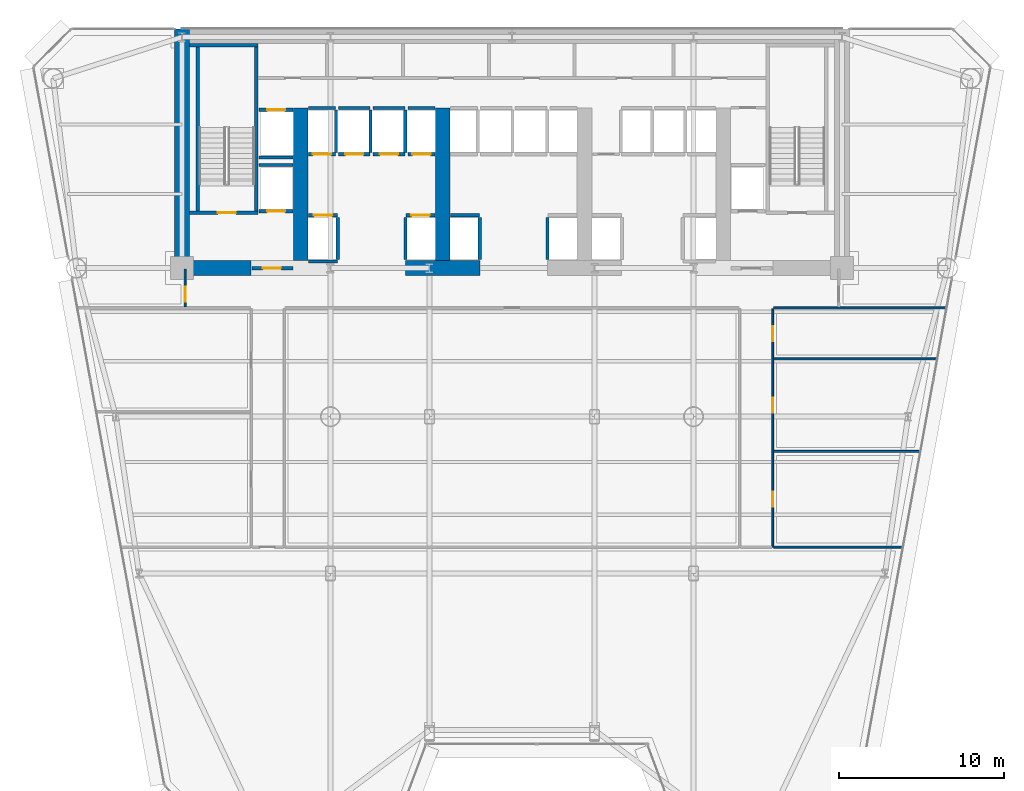
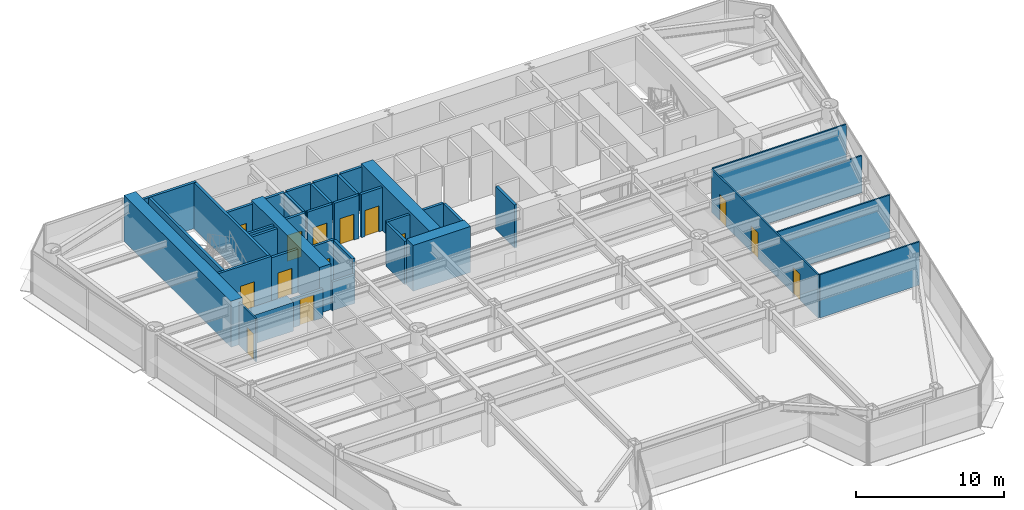
# One storey, part 8 of 14: 39 walls, 14 doors, 14 openings.
"""IFC4 building model written with IfcOpenShell, lengths in metres."""

from ifc_helpers import new_model, si_unit, direction, frame, frame_2d, origin, place, context, subcontext, project, spatial, rectangle, extrude, source, transform, mapped, material, layer, layer_set, type_object, element, fill, save


model = new_model("IFC4")

# Units and contexts
model_context = context("Model", 3, precision=1e-05, world=origin(), true_north=direction((0.0, 1.0)))
body_context = subcontext(model_context, "Body", "Model", "MODEL_VIEW")
ifc_project = project(units=[si_unit("LENGTHUNIT", "METRE"), si_unit("AREAUNIT", "SQUARE_METRE"), si_unit("VOLUMEUNIT", "CUBIC_METRE"), si_unit("PLANEANGLEUNIT", "RADIAN"), si_unit("MASSUNIT", "GRAM", prefix="KILO")], contexts=[model_context])

# Site, building, storey
site_placement = place(None, origin())
site = spatial("IfcSite", under=ifc_project, at=site_placement, CompositionType="ELEMENT")
building_placement = place(site_placement, origin())
building = spatial("IfcBuilding", under=site, at=building_placement, Name="Vaeldorn Concourse Tower", CompositionType="ELEMENT")
storey_placement = place(building_placement, frame((0.0, 0.0, 64.39990234375)))
storey = spatial("IfcBuildingStorey", under=building, at=storey_placement, Name="L16", CompositionType="ELEMENT", Elevation=64.39990234375)

# Walls
ifc_material_1 = material(Name="Concrete C60/75", Category="concrete")
ifc_layer_1 = layer(ifc_material_1, 0.89990234375)
ifc_layer_set_1 = layer_set([ifc_layer_1], Name="Concrete C60/75")
wall_type_1 = type_object("IfcWallType", Name="WL-CORE-900", PredefinedType="SHEAR", material=ifc_layer_set_1)
wall_1_placement = place(storey_placement, frame((14.0, 36.5, 0.0), z_axis=(0.0, 0.0, 1.0), x_axis=(0.0, 1.0, 0.0)))
element("IfcWall", 1, at=wall_1_placement, inside=storey, type_object=wall_type_1, Name="Rear Core Shear Wall L16 W1", PredefinedType="SHEAR", context=body_context, shape_type="SweptSolid", body=[
    extrude(rectangle(XDim=14.5, YDim=0.89990234375, at=frame_2d((7.25, 0.0))), origin(), (0.0, 0.0, 1.0), 3.800048828125),
])
wall_2_placement = place(storey_placement, frame((14.469970703125, 36.5, 0.0), z_axis=(0.0, 0.0, 1.0), x_axis=(1.0, 0.0, 0.0)))
element("IfcWall", 2, at=wall_2_placement, inside=storey, type_object=wall_type_1, Name="Rear Core Shear Wall L16 S1", PredefinedType="SHEAR", context=body_context, shape_type="SweptSolid", body=[
    extrude(rectangle(XDim=3.72998046875, YDim=0.89990234375, at=frame_2d((1.864990234375, 0.0))), origin(), (0.0, 0.0, 1.0), 2.380126953125),
])
wall_3_placement = place(storey_placement, frame((27.550048828125, 36.5, 0.0), z_axis=(0.0, 0.0, 1.0), x_axis=(1.0, 0.0, 0.0)))
element("IfcWall", 3, at=wall_3_placement, inside=storey, type_object=wall_type_1, Name="Rear Core Shear Wall L16 S2", PredefinedType="SHEAR", context=body_context, shape_type="SweptSolid", body=[
    extrude(rectangle(XDim=4.5, YDim=0.89990234375, at=frame_2d((2.25, 0.0))), origin(), (0.0, 0.0, 1.0), 3.800048828125),
])
for number, where, z_axis, x_axis, name in (
    (4, (21.199951171875, 36.969970703125, 0.0), (0.0, 0.0, 1.0), (0.0, 1.0, 0.0), "Rear Core Shear Wall L16 M1"),
    (5, (29.800048828125, 36.969970703125, 0.0), (0.0, 0.0, 1.0), (0.0, 1.0, 0.0), "Rear Core Shear Wall L16 M2"),
):
    element("IfcWall", number, at=place(storey_placement, frame(where, z_axis=z_axis, x_axis=x_axis)), inside=storey, type_object=wall_type_1, Name=name, PredefinedType="SHEAR", context=body_context, shape_type="SweptSolid", body=[
        extrude(rectangle(XDim=9.22998046875, YDim=0.89990234375, at=frame_2d((4.614990234375, 0.0))), origin(), (0.0, 0.0, 1.0), 3.800048828125),
    ])
ifc_material_2 = material(Name="Gypsum Board Partition", Category="gypsum")
ifc_layer_2 = layer(ifc_material_2, 0.1201171875)
ifc_layer_set_2 = layer_set([ifc_layer_2], Name="Gypsum Board Partition")
wall_type_2 = type_object("IfcWallType", Name="WL-PART-120", PredefinedType="PARTITIONING", material=ifc_layer_set_2)
wall_4_placement = place(storey_placement, frame((49.860107421875, 34.10009765625, 0.0), z_axis=(0.0, 0.0, 1.0), x_axis=(1.0, 0.0, 0.0)))
element("IfcWall", 6, at=wall_4_placement, inside=storey, type_object=wall_type_2, Name="Interior Wall PW-L16-CEWE", PredefinedType="PARTITIONING", context=body_context, shape_type="SweptSolid", body=[
    extrude(rectangle(XDim=10.436279296875, YDim=0.1201171875, at=frame_2d((5.21826171875, 0.0))), origin(), (0.0, 0.0, 1.0), 3.580078125),
])

# Wall, opening, door
wall_5_placement = place(storey_placement, frame((14.199951171875, 34.159912109375, 0.0), z_axis=(0.0, 0.0, 1.0), x_axis=(0.0, 1.0, 0.0)))
wall_5 = element("IfcWall", 7, at=wall_5_placement, inside=storey, type_object=wall_type_2, Name="Interior Wall PW-L16-CWWT", PredefinedType="PARTITIONING", context=body_context, shape_type="SweptSolid", body=[
    extrude(rectangle(XDim=2.280029296875, YDim=0.1201171875, at=frame_2d((1.14013671875, 0.0))), origin(), (0.0, 0.0, 1.0), 3.580078125),
])
opening_1_placement = place(wall_5_placement, frame((0.300048828125, 0.0, 0.0)))
opening_1 = element("IfcOpeningElement", 8, at=opening_1_placement, cuts=wall_5, Name="Opening D-03", PredefinedType="OPENING", context=body_context, shape_type="SweptSolid", body=[
    extrude(rectangle(XDim=0.89990234375, YDim=2.14990234375, at=frame_2d((0.449951171875, 1.074951171875))), frame((0.0, 0.070068359375, 0.0), z_axis=(0.0, -1.0, 0.0), x_axis=(1.0, 0.0, 0.0)), (0.0, 0.0, 1.0), 0.14013671875),
])
ifc_material_3 = material(Name="Acoustic Bronze-Framed Glass Door", Category="glass")
door_type_1 = type_object("IfcDoorType", Name="DR-INT-900", OperationType="NOTDEFINED", PredefinedType="DOOR", material=ifc_material_3)
shared_shape_1 = source(origin(), body_context, "Body", "SweptSolid", [
    extrude(rectangle(XDim=0.89990234375, YDim=2.14990234375, at=frame_2d((0.449951171875, 1.074951171875))), frame((0.0, 0.02490234375, 0.0), z_axis=(0.0, -1.0, 0.0), x_axis=(1.0, 0.0, 0.0)), (0.0, 0.0, 1.0), 0.050048828125),
])
door_1_placement = place(opening_1_placement, origin())
door_1 = element("IfcDoor", 9, at=door_1_placement, inside=storey, type_object=door_type_1, Name="Interior Door DR-L16-NW1", OperationType="SINGLE_SWING_LEFT", OverallHeight=2.14990234375, OverallWidth=0.89990234375, PredefinedType="DOOR", context=body_context, shape_type="MappedRepresentation", body=[
    mapped(shared_shape_1, transform((0.0, 0.0, 0.0), scale=1.0)),
])
fill(opening_1, door_1)

# Wall, openings, doors
wall_6_placement = place(storey_placement, frame((49.800048828125, 19.60009765625, 0.0), z_axis=(0.0, 0.0, 1.0), x_axis=(0.0, 1.0, 0.0)))
wall_6 = element("IfcWall", 10, at=wall_6_placement, inside=storey, type_object=wall_type_2, Name="Interior Wall PW-L16-CEE", PredefinedType="PARTITIONING", context=body_context, shape_type="SweptSolid", body=[
    extrude(rectangle(XDim=14.43994140625, YDim=0.1201171875, at=frame_2d((7.219970703125, 0.0))), origin(), (0.0, 0.0, 1.0), 3.580078125),
])
opening_2_placement = place(wall_6_placement, frame((2.449951171875, 0.0, 0.0)))
opening_2 = element("IfcOpeningElement", 11, at=opening_2_placement, cuts=wall_6, Name="Opening D-03", PredefinedType="OPENING", context=body_context, shape_type="SweptSolid", body=[
    extrude(rectangle(XDim=0.89990234375, YDim=2.14990234375, at=frame_2d((0.449951171875, 1.074951171875))), frame((0.0, 0.070068359375, 0.0), z_axis=(0.0, -1.0, 0.0), x_axis=(1.0, 0.0, 0.0)), (0.0, 0.0, 1.0), 0.14013671875),
])
opening_3_placement = place(wall_6_placement, frame((8.14990234375, 0.0, 0.0)))
opening_3 = element("IfcOpeningElement", 12, at=opening_3_placement, cuts=wall_6, Name="Opening D-03", PredefinedType="OPENING", context=body_context, shape_type="SweptSolid", body=[
    extrude(rectangle(XDim=0.89990234375, YDim=2.14990234375, at=frame_2d((0.449951171875, 1.074951171875))), frame((0.0, 0.070068359375, 0.0), z_axis=(0.0, -1.0, 0.0), x_axis=(1.0, 0.0, 0.0)), (0.0, 0.0, 1.0), 0.14013671875),
])
opening_4_placement = place(wall_6_placement, frame((12.469970703125, 0.0, 0.0)))
opening_4 = element("IfcOpeningElement", 13, at=opening_4_placement, cuts=wall_6, Name="Opening D-03", PredefinedType="OPENING", context=body_context, shape_type="SweptSolid", body=[
    extrude(rectangle(XDim=0.89990234375, YDim=2.14990234375, at=frame_2d((0.449951171875, 1.074951171875))), frame((0.0, 0.070068359375, 0.0), z_axis=(0.0, -1.0, 0.0), x_axis=(1.0, 0.0, 0.0)), (0.0, 0.0, 1.0), 0.14013671875),
])
door_2_placement = place(opening_2_placement, origin())
door_2 = element("IfcDoor", 14, at=door_2_placement, inside=storey, type_object=door_type_1, Name="Interior Door DR-L16-E1", OperationType="SINGLE_SWING_RIGHT", OverallHeight=2.14990234375, OverallWidth=0.89990234375, PredefinedType="DOOR", context=body_context, shape_type="MappedRepresentation", body=[
    mapped(shared_shape_1, transform((0.0, 0.0, 0.0), scale=1.0)),
])
fill(opening_2, door_2)
door_3_placement = place(opening_3_placement, origin())
door_3 = element("IfcDoor", 15, at=door_3_placement, inside=storey, type_object=door_type_1, Name="Interior Door DR-L16-E2", OperationType="SINGLE_SWING_LEFT", OverallHeight=2.14990234375, OverallWidth=0.89990234375, PredefinedType="DOOR", context=body_context, shape_type="MappedRepresentation", body=[
    mapped(shared_shape_1, transform((0.0, 0.0, 0.0), scale=1.0)),
])
fill(opening_3, door_3)
door_4_placement = place(opening_4_placement, origin())
door_4 = element("IfcDoor", 16, at=door_4_placement, inside=storey, type_object=door_type_1, Name="Interior Door DR-L16-E3", OperationType="SINGLE_SWING_RIGHT", OverallHeight=2.14990234375, OverallWidth=0.89990234375, PredefinedType="DOOR", context=body_context, shape_type="MappedRepresentation", body=[
    mapped(shared_shape_1, transform((0.0, 0.0, 0.0), scale=1.0)),
])
fill(opening_4, door_4)

# Walls
wall_7_placement = place(storey_placement, frame((49.860107421875, 19.60009765625, 0.0), z_axis=(0.0, 0.0, 1.0), x_axis=(1.0, 0.0, 0.0)))
element("IfcWall", 17, at=wall_7_placement, inside=storey, type_object=wall_type_2, Name="Interior Wall PW-L16-EY0", PredefinedType="PARTITIONING", context=body_context, shape_type="SweptSolid", body=[
    extrude(rectangle(XDim=7.791015625, YDim=0.1201171875, at=frame_2d((3.8955078125, 0.0))), origin(), (0.0, 0.0, 1.0), 3.580078125),
])
wall_8_placement = place(storey_placement, frame((49.860107421875, 25.39990234375, 0.0), z_axis=(0.0, 0.0, 1.0), x_axis=(1.0, 0.0, 0.0)))
element("IfcWall", 18, at=wall_8_placement, inside=storey, type_object=wall_type_2, Name="Interior Wall PW-L16-EY1", PredefinedType="PARTITIONING", context=body_context, shape_type="SweptSolid", body=[
    extrude(rectangle(XDim=8.84912109375, YDim=0.1201171875, at=frame_2d((4.424560546875, 0.0))), origin(), (0.0, 0.0, 1.0), 3.580078125),
])
wall_9_placement = place(storey_placement, frame((49.860107421875, 31.0, 0.0), z_axis=(0.0, 0.0, 1.0), x_axis=(1.0, 0.0, 0.0)))
element("IfcWall", 19, at=wall_9_placement, inside=storey, type_object=wall_type_2, Name="Interior Wall PW-L16-EY2", PredefinedType="PARTITIONING", context=body_context, shape_type="SweptSolid", body=[
    extrude(rectangle(XDim=9.870849609375, YDim=0.1201171875, at=frame_2d((4.935546875, 0.0))), origin(), (0.0, 0.0, 1.0), 3.070068359375),
])

# Wall, opening, door
ifc_material_4 = material(Name="Concrete C50/60", Category="concrete")
ifc_layer_3 = layer(ifc_material_4, 0.199951171875)
ifc_layer_set_3 = layer_set([ifc_layer_3], Name="Concrete C50/60")
wall_type_3 = type_object("IfcWallType", Name="WL-SHAFT-200", PredefinedType="SOLIDWALL", material=ifc_layer_set_3)
wall_10_placement = place(storey_placement, frame((14.449951171875, 39.85009765625, 0.0), z_axis=(0.0, 0.0, 1.0), x_axis=(1.0, 0.0, 0.0)))
wall_10 = element("IfcWall", 20, at=wall_10_placement, inside=storey, type_object=wall_type_3, Name="Stair Shaft Wall CW-L16-ST-1-S", PredefinedType="SOLIDWALL", context=body_context, shape_type="SweptSolid", body=[
    extrude(rectangle(XDim=4.150146484375, YDim=0.199951171875, at=frame_2d((2.0751953125, 0.0))), origin(), (0.0, 0.0, 1.0), 3.800048828125),
])
opening_5_placement = place(wall_10_placement, frame((1.72509765625, 0.0, 0.0)))
opening_5 = element("IfcOpeningElement", 21, at=opening_5_placement, cuts=wall_10, Name="Opening D-01", PredefinedType="OPENING", context=body_context, shape_type="SweptSolid", body=[
    extrude(rectangle(XDim=1.10009765625, YDim=2.14990234375, at=frame_2d((0.550048828125, 1.074951171875))), frame((0.0, 0.10986328125, 0.0), z_axis=(0.0, -1.0, 0.0), x_axis=(1.0, 0.0, 0.0)), (0.0, 0.0, 1.0), 0.219970703125),
])
ifc_material_5 = material(Name="Fire-Rated Timber and Steel Leaf", Category="steel")
door_type_2 = type_object("IfcDoorType", Name="DR-FD60-1100", OperationType="NOTDEFINED", PredefinedType="DOOR", material=ifc_material_5)
shared_shape_2 = source(origin(), body_context, "Body", "SweptSolid", [
    extrude(rectangle(XDim=1.10009765625, YDim=2.14990234375, at=frame_2d((0.550048828125, 1.074951171875))), frame((0.0, 0.02490234375, 0.0), z_axis=(0.0, -1.0, 0.0), x_axis=(1.0, 0.0, 0.0)), (0.0, 0.0, 1.0), 0.050048828125),
])
door_5_placement = place(opening_5_placement, origin())
door_5 = element("IfcDoor", 22, at=door_5_placement, inside=storey, type_object=door_type_2, Name="Interior Door DR-L16-ST-1", OperationType="SINGLE_SWING_LEFT", OverallHeight=2.14990234375, OverallWidth=1.10009765625, PredefinedType="DOOR", context=body_context, shape_type="MappedRepresentation", body=[
    mapped(shared_shape_2, transform((0.0, 0.0, 0.0), scale=1.0)),
])
fill(opening_5, door_5)

# Walls
wall_11_placement = place(storey_placement, frame((14.449951171875, 50.0, 0.0), z_axis=(0.0, 0.0, 1.0), x_axis=(1.0, 0.0, 0.0)))
element("IfcWall", 23, at=wall_11_placement, inside=storey, type_object=wall_type_3, Name="Stair Shaft Wall CW-L16-ST-1-N", PredefinedType="SOLIDWALL", context=body_context, shape_type="SweptSolid", body=[
    extrude(rectangle(XDim=4.150146484375, YDim=0.199951171875, at=frame_2d((2.0751953125, 0.0))), origin(), (0.0, 0.0, 1.0), 3.800048828125),
])
for number, where, z_axis, x_axis, name in (
    (24, (14.949951171875, 39.9599609375, 0.0), (0.0, 0.0, 1.0), (0.0, 1.0, 0.0), "Stair Shaft Wall CW-L16-ST-1-W"),
    (25, (18.5, 39.9599609375, 0.0), (0.0, 0.0, 1.0), (0.0, 1.0, 0.0), "Stair Shaft Wall CW-L16-ST-1-E"),
):
    element("IfcWall", number, at=place(storey_placement, frame(where, z_axis=z_axis, x_axis=x_axis)), inside=storey, type_object=wall_type_3, Name=name, PredefinedType="SOLIDWALL", context=body_context, shape_type="SweptSolid", body=[
        extrude(rectangle(XDim=9.929931640625, YDim=0.199951171875, at=frame_2d((4.96484375, 0.0))), origin(), (0.0, 0.0, 1.0), 3.800048828125),
    ])

# Wall, opening, door
wall_12_placement = place(storey_placement, frame((18.25, 36.5, 0.0), z_axis=(0.0, 0.0, 1.0), x_axis=(1.0, 0.0, 0.0)))
wall_12 = element("IfcWall", 26, at=wall_12_placement, inside=storey, type_object=wall_type_3, Name="Interior Wall CW-L16-FF1S", PredefinedType="SOLIDWALL", context=body_context, shape_type="SweptSolid", body=[
    extrude(rectangle(XDim=2.469970703125, YDim=0.199951171875, at=frame_2d((1.23486328125, 0.0))), origin(), (0.0, 0.0, 1.0), 2.3701171875),
])
opening_6_placement = place(wall_12_placement, frame((0.64990234375, 0.0, 0.0)))
opening_6 = element("IfcOpeningElement", 27, at=opening_6_placement, cuts=wall_12, Name="Opening D-01", PredefinedType="OPENING", context=body_context, shape_type="SweptSolid", body=[
    extrude(rectangle(XDim=1.10009765625, YDim=2.14990234375, at=frame_2d((0.550048828125, 1.074951171875))), frame((0.0, 0.10986328125, 0.0), z_axis=(0.0, -1.0, 0.0), x_axis=(1.0, 0.0, 0.0)), (0.0, 0.0, 1.0), 0.219970703125),
])
door_6_placement = place(opening_6_placement, origin())
door_6 = element("IfcDoor", 28, at=door_6_placement, inside=storey, type_object=door_type_2, Name="Interior Door DR-L16-FF1E", OperationType="SINGLE_SWING_RIGHT", OverallHeight=2.14990234375, OverallWidth=1.10009765625, PredefinedType="DOOR", context=body_context, shape_type="MappedRepresentation", body=[
    mapped(shared_shape_2, transform((0.0, 0.0, 0.0), scale=1.0)),
])
fill(opening_6, door_6)

wall_13_placement = place(storey_placement, frame((21.659912109375, 39.699951171875, 0.0), z_axis=(0.0, 0.0, 1.0), x_axis=(1.0, 0.0, 0.0)))
wall_13 = element("IfcWall", 29, at=wall_13_placement, inside=storey, type_object=wall_type_3, Name="Interior Wall CW-L16-LF-LF-01", PredefinedType="SOLIDWALL", context=body_context, shape_type="SweptSolid", body=[
    extrude(rectangle(XDim=1.77001953125, YDim=0.199951171875, at=frame_2d((0.885009765625, 0.0))), origin(), (0.0, 0.0, 1.0), 3.580078125),
])
opening_7_placement = place(wall_13_placement, frame((0.3349609375, 0.0, 0.0)))
opening_7 = element("IfcOpeningElement", 30, at=opening_7_placement, cuts=wall_13, Name="Opening LD-1", PredefinedType="OPENING", context=body_context, shape_type="SweptSolid", body=[
    extrude(rectangle(XDim=1.10009765625, YDim=2.14990234375, at=frame_2d((0.550048828125, 1.074951171875))), frame((0.0, 0.10986328125, 0.0), z_axis=(0.0, -1.0, 0.0), x_axis=(1.0, 0.0, 0.0)), (0.0, 0.0, 1.0), 0.219970703125),
])
ifc_material_6 = material(Name="Anodised Bronze Aluminium", Category="aluminium")
door_type_3 = type_object("IfcDoorType", Name="DR-LIFT-SLIDE-1100", OperationType="DOUBLE_DOOR_SLIDING", PredefinedType="DOOR", material=ifc_material_6)
door_7_placement = place(opening_7_placement, origin())
door_7 = element("IfcDoor", 31, at=door_7_placement, inside=storey, type_object=door_type_3, Name="Lift Landing Door LD-L16-LF-01", OperationType="DOUBLE_DOOR_SLIDING", OverallHeight=2.14990234375, OverallWidth=1.10009765625, PredefinedType="DOOR", context=body_context, shape_type="MappedRepresentation", body=[
    mapped(shared_shape_2, transform((0.0, 0.0, 0.0), scale=1.0)),
])
fill(opening_7, door_7)

# Walls
wall_14_placement = place(storey_placement, frame((21.659912109375, 36.89990234375, 0.0), z_axis=(0.0, 0.0, 1.0), x_axis=(1.0, 0.0, 0.0)))
element("IfcWall", 32, at=wall_14_placement, inside=storey, type_object=wall_type_3, Name="Interior Wall CW-L16-LFB-LF-01", PredefinedType="SOLIDWALL", context=body_context, shape_type="SweptSolid", body=[
    extrude(rectangle(XDim=1.77001953125, YDim=0.199951171875, at=frame_2d((0.885009765625, 0.0))), origin(), (0.0, 0.0, 1.0), 2.3701171875),
])
wall_15_placement = place(storey_placement, frame((23.449951171875, 37.02001953125, 0.0), z_axis=(0.0, 0.0, 1.0), x_axis=(0.0, 1.0, 0.0)))
element("IfcWall", 33, at=wall_15_placement, inside=storey, type_object=wall_type_3, Name="Interior Wall CW-L16-LFE-LF-01", PredefinedType="SOLIDWALL", context=body_context, shape_type="SweptSolid", body=[
    extrude(rectangle(XDim=2.56005859375, YDim=0.199951171875, at=frame_2d((1.280029296875, 0.0))), origin(), (0.0, 0.0, 1.0), 3.580078125),
])

# Wall, opening, door
wall_16_placement = place(storey_placement, frame((27.570068359375, 39.699951171875, 0.0), z_axis=(0.0, 0.0, 1.0), x_axis=(1.0, 0.0, 0.0)))
wall_16 = element("IfcWall", 34, at=wall_16_placement, inside=storey, type_object=wall_type_3, Name="Interior Wall CW-L16-LF-LF-02", PredefinedType="SOLIDWALL", context=body_context, shape_type="SweptSolid", body=[
    extrude(rectangle(XDim=1.77001953125, YDim=0.199951171875, at=frame_2d((0.885009765625, 0.0))), origin(), (0.0, 0.0, 1.0), 3.580078125),
])
opening_8_placement = place(wall_16_placement, frame((0.3349609375, 0.0, 0.0)))
opening_8 = element("IfcOpeningElement", 35, at=opening_8_placement, cuts=wall_16, Name="Opening LD-1", PredefinedType="OPENING", context=body_context, shape_type="SweptSolid", body=[
    extrude(rectangle(XDim=1.10009765625, YDim=2.14990234375, at=frame_2d((0.550048828125, 1.074951171875))), frame((0.0, 0.10986328125, 0.0), z_axis=(0.0, -1.0, 0.0), x_axis=(1.0, 0.0, 0.0)), (0.0, 0.0, 1.0), 0.219970703125),
])
door_8_placement = place(opening_8_placement, origin())
door_8 = element("IfcDoor", 36, at=door_8_placement, inside=storey, type_object=door_type_3, Name="Lift Landing Door LD-L16-LF-02", OperationType="DOUBLE_DOOR_SLIDING", OverallHeight=2.14990234375, OverallWidth=1.10009765625, PredefinedType="DOOR", context=body_context, shape_type="MappedRepresentation", body=[
    mapped(shared_shape_2, transform((0.0, 0.0, 0.0), scale=1.0)),
])
fill(opening_8, door_8)

# Wall
wall_17_placement = place(storey_placement, frame((27.550048828125, 37.02001953125, 0.0), z_axis=(0.0, 0.0, 1.0), x_axis=(0.0, 1.0, 0.0)))
element("IfcWall", 37, at=wall_17_placement, inside=storey, type_object=wall_type_3, Name="Interior Wall CW-L16-LFW-LF-02", PredefinedType="SOLIDWALL", context=body_context, shape_type="SweptSolid", body=[
    extrude(rectangle(XDim=2.56005859375, YDim=0.199951171875, at=frame_2d((1.280029296875, 0.0))), origin(), (0.0, 0.0, 1.0), 3.580078125),
])

# Wall, opening, door
wall_18_placement = place(storey_placement, frame((21.659912109375, 43.39990234375, 0.0), z_axis=(0.0, 0.0, 1.0), x_axis=(1.0, 0.0, 0.0)))
wall_18 = element("IfcWall", 38, at=wall_18_placement, inside=storey, type_object=wall_type_3, Name="Interior Wall CW-L16-LF-LF-03", PredefinedType="SOLIDWALL", context=body_context, shape_type="SweptSolid", body=[
    extrude(rectangle(XDim=1.650146484375, YDim=0.199951171875, at=frame_2d((0.8251953125, 0.0))), origin(), (0.0, 0.0, 1.0), 3.580078125),
])
opening_9_placement = place(wall_18_placement, frame((0.27490234375, 0.0, 0.0)))
opening_9 = element("IfcOpeningElement", 39, at=opening_9_placement, cuts=wall_18, Name="Opening LD-1", PredefinedType="OPENING", context=body_context, shape_type="SweptSolid", body=[
    extrude(rectangle(XDim=1.10009765625, YDim=2.14990234375, at=frame_2d((0.550048828125, 1.074951171875))), frame((0.0, 0.10986328125, 0.0), z_axis=(0.0, -1.0, 0.0), x_axis=(1.0, 0.0, 0.0)), (0.0, 0.0, 1.0), 0.219970703125),
])
door_9_placement = place(opening_9_placement, origin())
door_9 = element("IfcDoor", 40, at=door_9_placement, inside=storey, type_object=door_type_3, Name="Lift Landing Door LD-L16-LF-03", OperationType="DOUBLE_DOOR_SLIDING", OverallHeight=2.14990234375, OverallWidth=1.10009765625, PredefinedType="DOOR", context=body_context, shape_type="MappedRepresentation", body=[
    mapped(shared_shape_2, transform((0.0, 0.0, 0.0), scale=1.0)),
])
fill(opening_9, door_9)

# Walls
wall_19_placement = place(storey_placement, frame((21.659912109375, 46.199951171875, 0.0), z_axis=(0.0, 0.0, 1.0), x_axis=(1.0, 0.0, 0.0)))
element("IfcWall", 41, at=wall_19_placement, inside=storey, type_object=wall_type_3, Name="Interior Wall CW-L16-LFB-LF-03", PredefinedType="SOLIDWALL", context=body_context, shape_type="SweptSolid", body=[
    extrude(rectangle(XDim=1.650146484375, YDim=0.199951171875, at=frame_2d((0.8251953125, 0.0))), origin(), (0.0, 0.0, 1.0), 3.580078125),
])
wall_20_placement = place(storey_placement, frame((23.330078125, 43.52001953125, 0.0), z_axis=(0.0, 0.0, 1.0), x_axis=(0.0, 1.0, 0.0)))
element("IfcWall", 42, at=wall_20_placement, inside=storey, type_object=wall_type_3, Name="Interior Wall CW-L16-LFE-LF-03", PredefinedType="SOLIDWALL", context=body_context, shape_type="SweptSolid", body=[
    extrude(rectangle(XDim=2.56005859375, YDim=0.199951171875, at=frame_2d((1.280029296875, 0.0))), origin(), (0.0, 0.0, 1.0), 3.580078125),
])

# Wall, opening, door
wall_21_placement = place(storey_placement, frame((23.489990234375, 43.39990234375, 0.0), z_axis=(0.0, 0.0, 1.0), x_axis=(1.0, 0.0, 0.0)))
wall_21 = element("IfcWall", 43, at=wall_21_placement, inside=storey, type_object=wall_type_3, Name="Interior Wall CW-L16-LF-LF-04", PredefinedType="SOLIDWALL", context=body_context, shape_type="SweptSolid", body=[
    extrude(rectangle(XDim=1.919921875, YDim=0.199951171875, at=frame_2d((0.9599609375, 0.0))), origin(), (0.0, 0.0, 1.0), 3.580078125),
])
opening_10_placement = place(wall_21_placement, frame((0.409912109375, 0.0, 0.0)))
opening_10 = element("IfcOpeningElement", 44, at=opening_10_placement, cuts=wall_21, Name="Opening LD-1", PredefinedType="OPENING", context=body_context, shape_type="SweptSolid", body=[
    extrude(rectangle(XDim=1.10009765625, YDim=2.14990234375, at=frame_2d((0.550048828125, 1.074951171875))), frame((0.0, 0.10986328125, 0.0), z_axis=(0.0, -1.0, 0.0), x_axis=(1.0, 0.0, 0.0)), (0.0, 0.0, 1.0), 0.219970703125),
])
door_10_placement = place(opening_10_placement, origin())
door_10 = element("IfcDoor", 45, at=door_10_placement, inside=storey, type_object=door_type_3, Name="Lift Landing Door LD-L16-LF-04", OperationType="DOUBLE_DOOR_SLIDING", OverallHeight=2.14990234375, OverallWidth=1.10009765625, PredefinedType="DOOR", context=body_context, shape_type="MappedRepresentation", body=[
    mapped(shared_shape_2, transform((0.0, 0.0, 0.0), scale=1.0)),
])
fill(opening_10, door_10)

# Walls
wall_22_placement = place(storey_placement, frame((23.489990234375, 46.199951171875, 0.0), z_axis=(0.0, 0.0, 1.0), x_axis=(1.0, 0.0, 0.0)))
element("IfcWall", 46, at=wall_22_placement, inside=storey, type_object=wall_type_3, Name="Interior Wall CW-L16-LFB-LF-04", PredefinedType="SOLIDWALL", context=body_context, shape_type="SweptSolid", body=[
    extrude(rectangle(XDim=1.919921875, YDim=0.199951171875, at=frame_2d((0.9599609375, 0.0))), origin(), (0.0, 0.0, 1.0), 3.580078125),
])
wall_23_placement = place(storey_placement, frame((25.429931640625, 43.52001953125, 0.0), z_axis=(0.0, 0.0, 1.0), x_axis=(0.0, 1.0, 0.0)))
element("IfcWall", 47, at=wall_23_placement, inside=storey, type_object=wall_type_3, Name="Interior Wall CW-L16-LFE-LF-04", PredefinedType="SOLIDWALL", context=body_context, shape_type="SweptSolid", body=[
    extrude(rectangle(XDim=2.56005859375, YDim=0.199951171875, at=frame_2d((1.280029296875, 0.0))), origin(), (0.0, 0.0, 1.0), 3.580078125),
])

# Wall, opening, door
wall_24_placement = place(storey_placement, frame((25.590087890625, 43.39990234375, 0.0), z_axis=(0.0, 0.0, 1.0), x_axis=(1.0, 0.0, 0.0)))
wall_24 = element("IfcWall", 48, at=wall_24_placement, inside=storey, type_object=wall_type_3, Name="Interior Wall CW-L16-LF-LF-05", PredefinedType="SOLIDWALL", context=body_context, shape_type="SweptSolid", body=[
    extrude(rectangle(XDim=1.919921875, YDim=0.199951171875, at=frame_2d((0.9599609375, 0.0))), origin(), (0.0, 0.0, 1.0), 3.580078125),
])
opening_11_placement = place(wall_24_placement, frame((0.409912109375, 0.0, 0.0)))
opening_11 = element("IfcOpeningElement", 49, at=opening_11_placement, cuts=wall_24, Name="Opening LD-1", PredefinedType="OPENING", context=body_context, shape_type="SweptSolid", body=[
    extrude(rectangle(XDim=1.10009765625, YDim=2.14990234375, at=frame_2d((0.550048828125, 1.074951171875))), frame((0.0, 0.10986328125, 0.0), z_axis=(0.0, -1.0, 0.0), x_axis=(1.0, 0.0, 0.0)), (0.0, 0.0, 1.0), 0.219970703125),
])
door_11_placement = place(opening_11_placement, origin())
door_11 = element("IfcDoor", 50, at=door_11_placement, inside=storey, type_object=door_type_3, Name="Lift Landing Door LD-L16-LF-05", OperationType="DOUBLE_DOOR_SLIDING", OverallHeight=2.14990234375, OverallWidth=1.10009765625, PredefinedType="DOOR", context=body_context, shape_type="MappedRepresentation", body=[
    mapped(shared_shape_2, transform((0.0, 0.0, 0.0), scale=1.0)),
])
fill(opening_11, door_11)

# Walls
wall_25_placement = place(storey_placement, frame((25.590087890625, 46.199951171875, 0.0), z_axis=(0.0, 0.0, 1.0), x_axis=(1.0, 0.0, 0.0)))
element("IfcWall", 51, at=wall_25_placement, inside=storey, type_object=wall_type_3, Name="Interior Wall CW-L16-LFB-LF-05", PredefinedType="SOLIDWALL", context=body_context, shape_type="SweptSolid", body=[
    extrude(rectangle(XDim=1.919921875, YDim=0.199951171875, at=frame_2d((0.9599609375, 0.0))), origin(), (0.0, 0.0, 1.0), 3.580078125),
])
wall_26_placement = place(storey_placement, frame((27.530029296875, 43.52001953125, 0.0), z_axis=(0.0, 0.0, 1.0), x_axis=(0.0, 1.0, 0.0)))
element("IfcWall", 52, at=wall_26_placement, inside=storey, type_object=wall_type_3, Name="Interior Wall CW-L16-LFE-LF-05", PredefinedType="SOLIDWALL", context=body_context, shape_type="SweptSolid", body=[
    extrude(rectangle(XDim=2.56005859375, YDim=0.199951171875, at=frame_2d((1.280029296875, 0.0))), origin(), (0.0, 0.0, 1.0), 3.580078125),
])

# Wall, opening, door
wall_27_placement = place(storey_placement, frame((27.68994140625, 43.39990234375, 0.0), z_axis=(0.0, 0.0, 1.0), x_axis=(1.0, 0.0, 0.0)))
wall_27 = element("IfcWall", 53, at=wall_27_placement, inside=storey, type_object=wall_type_3, Name="Interior Wall CW-L16-LF-LF-06", PredefinedType="SOLIDWALL", context=body_context, shape_type="SweptSolid", body=[
    extrude(rectangle(XDim=1.650146484375, YDim=0.199951171875, at=frame_2d((0.8251953125, 0.0))), origin(), (0.0, 0.0, 1.0), 3.580078125),
])
opening_12_placement = place(wall_27_placement, frame((0.27490234375, 0.0, 0.0)))
opening_12 = element("IfcOpeningElement", 54, at=opening_12_placement, cuts=wall_27, Name="Opening LD-1", PredefinedType="OPENING", context=body_context, shape_type="SweptSolid", body=[
    extrude(rectangle(XDim=1.10009765625, YDim=2.14990234375, at=frame_2d((0.550048828125, 1.074951171875))), frame((0.0, 0.10986328125, 0.0), z_axis=(0.0, -1.0, 0.0), x_axis=(1.0, 0.0, 0.0)), (0.0, 0.0, 1.0), 0.219970703125),
])
door_12_placement = place(opening_12_placement, origin())
door_12 = element("IfcDoor", 55, at=door_12_placement, inside=storey, type_object=door_type_3, Name="Lift Landing Door LD-L16-LF-06", OperationType="DOUBLE_DOOR_SLIDING", OverallHeight=2.14990234375, OverallWidth=1.10009765625, PredefinedType="DOOR", context=body_context, shape_type="MappedRepresentation", body=[
    mapped(shared_shape_2, transform((0.0, 0.0, 0.0), scale=1.0)),
])
fill(opening_12, door_12)

# Walls
wall_28_placement = place(storey_placement, frame((27.68994140625, 46.199951171875, 0.0), z_axis=(0.0, 0.0, 1.0), x_axis=(1.0, 0.0, 0.0)))
element("IfcWall", 56, at=wall_28_placement, inside=storey, type_object=wall_type_3, Name="Interior Wall CW-L16-LFB-LF-06", PredefinedType="SOLIDWALL", context=body_context, shape_type="SweptSolid", body=[
    extrude(rectangle(XDim=1.650146484375, YDim=0.199951171875, at=frame_2d((0.8251953125, 0.0))), origin(), (0.0, 0.0, 1.0), 3.580078125),
])
wall_29_placement = place(storey_placement, frame((30.260009765625, 39.699951171875, 0.0), z_axis=(0.0, 0.0, 1.0), x_axis=(1.0, 0.0, 0.0)))
element("IfcWall", 57, at=wall_29_placement, inside=storey, type_object=wall_type_3, Name="Interior Wall CW-L16-LF-LF-07", PredefinedType="SOLIDWALL", context=body_context, shape_type="SweptSolid", body=[
    extrude(rectangle(XDim=1.77001953125, YDim=0.199951171875, at=frame_2d((0.885009765625, 0.0))), origin(), (0.0, 0.0, 1.0), 3.580078125),
])
for number, where, z_axis, x_axis, name in (
    (58, (32.050048828125, 37.02001953125, 0.0), (0.0, 0.0, 1.0), (0.0, 1.0, 0.0), "Interior Wall CW-L16-LFE-LF-07"),
    (59, (36.14990234375, 37.02001953125, 0.0), (0.0, 0.0, 1.0), (0.0, 1.0, 0.0), "Interior Wall CW-L16-LFW-LF-08"),
):
    element("IfcWall", number, at=place(storey_placement, frame(where, z_axis=z_axis, x_axis=x_axis)), inside=storey, type_object=wall_type_3, Name=name, PredefinedType="SOLIDWALL", context=body_context, shape_type="SweptSolid", body=[
        extrude(rectangle(XDim=2.56005859375, YDim=0.199951171875, at=frame_2d((1.280029296875, 0.0))), origin(), (0.0, 0.0, 1.0), 3.580078125),
    ])

# Wall, opening, door
wall_30_placement = place(storey_placement, frame((18.669921875, 46.10009765625, 0.0), z_axis=(0.0, 0.0, 1.0), x_axis=(1.0, 0.0, 0.0)))
wall_30 = element("IfcWall", 60, at=wall_30_placement, inside=storey, type_object=wall_type_3, Name="Interior Wall CW-L16-LF-LF-SV1", PredefinedType="SOLIDWALL", context=body_context, shape_type="SweptSolid", body=[
    extrude(rectangle(XDim=2.070068359375, YDim=0.199951171875, at=frame_2d((1.03515625, 0.0))), origin(), (0.0, 0.0, 1.0), 3.580078125),
])
opening_13_placement = place(wall_30_placement, frame((0.485107421875, 0.0, 0.0)))
opening_13 = element("IfcOpeningElement", 61, at=opening_13_placement, cuts=wall_30, Name="Opening LD-1", PredefinedType="OPENING", context=body_context, shape_type="SweptSolid", body=[
    extrude(rectangle(XDim=1.10009765625, YDim=2.14990234375, at=frame_2d((0.550048828125, 1.074951171875))), frame((0.0, 0.10986328125, 0.0), z_axis=(0.0, -1.0, 0.0), x_axis=(1.0, 0.0, 0.0)), (0.0, 0.0, 1.0), 0.219970703125),
])
door_13_placement = place(opening_13_placement, origin())
door_13 = element("IfcDoor", 62, at=door_13_placement, inside=storey, type_object=door_type_3, Name="Lift Landing Door LD-L16-LF-SV1", OperationType="DOUBLE_DOOR_SLIDING", OverallHeight=2.14990234375, OverallWidth=1.10009765625, PredefinedType="DOOR", context=body_context, shape_type="MappedRepresentation", body=[
    mapped(shared_shape_2, transform((0.0, 0.0, 0.0), scale=1.0)),
])
fill(opening_13, door_13)

# Wall
wall_31_placement = place(storey_placement, frame((18.669921875, 43.199951171875, 0.0), z_axis=(0.0, 0.0, 1.0), x_axis=(1.0, 0.0, 0.0)))
element("IfcWall", 63, at=wall_31_placement, inside=storey, type_object=wall_type_3, Name="Interior Wall CW-L16-LFB-LF-SV1", PredefinedType="SOLIDWALL", context=body_context, shape_type="SweptSolid", body=[
    extrude(rectangle(XDim=2.070068359375, YDim=0.199951171875, at=frame_2d((1.03515625, 0.0))), origin(), (0.0, 0.0, 1.0), 3.580078125),
])

# Wall, opening, door
wall_32_placement = place(storey_placement, frame((18.669921875, 39.949951171875, 0.0), z_axis=(0.0, 0.0, 1.0), x_axis=(1.0, 0.0, 0.0)))
wall_32 = element("IfcWall", 64, at=wall_32_placement, inside=storey, type_object=wall_type_3, Name="Interior Wall CW-L16-LF-LF-FF1", PredefinedType="SOLIDWALL", context=body_context, shape_type="SweptSolid", body=[
    extrude(rectangle(XDim=2.070068359375, YDim=0.199951171875, at=frame_2d((1.03515625, 0.0))), origin(), (0.0, 0.0, 1.0), 3.580078125),
])
opening_14_placement = place(wall_32_placement, frame((0.485107421875, 0.0, 0.0)))
opening_14 = element("IfcOpeningElement", 65, at=opening_14_placement, cuts=wall_32, Name="Opening LD-1", PredefinedType="OPENING", context=body_context, shape_type="SweptSolid", body=[
    extrude(rectangle(XDim=1.10009765625, YDim=2.14990234375, at=frame_2d((0.550048828125, 1.074951171875))), frame((0.0, 0.10986328125, 0.0), z_axis=(0.0, -1.0, 0.0), x_axis=(1.0, 0.0, 0.0)), (0.0, 0.0, 1.0), 0.219970703125),
])
door_14_placement = place(opening_14_placement, origin())
door_14 = element("IfcDoor", 66, at=door_14_placement, inside=storey, type_object=door_type_3, Name="Lift Landing Door LD-L16-LF-FF1", OperationType="DOUBLE_DOOR_SLIDING", OverallHeight=2.14990234375, OverallWidth=1.10009765625, PredefinedType="DOOR", context=body_context, shape_type="MappedRepresentation", body=[
    mapped(shared_shape_2, transform((0.0, 0.0, 0.0), scale=1.0)),
])
fill(opening_14, door_14)

# Wall
wall_33_placement = place(storey_placement, frame((18.669921875, 42.75, 0.0), z_axis=(0.0, 0.0, 1.0), x_axis=(1.0, 0.0, 0.0)))
element("IfcWall", 67, at=wall_33_placement, inside=storey, type_object=wall_type_3, Name="Interior Wall CW-L16-LFB-LF-FF1", PredefinedType="SOLIDWALL", context=body_context, shape_type="SweptSolid", body=[
    extrude(rectangle(XDim=2.070068359375, YDim=0.199951171875, at=frame_2d((1.03515625, 0.0))), origin(), (0.0, 0.0, 1.0), 3.580078125),
])

save(model, "model.ifc")
